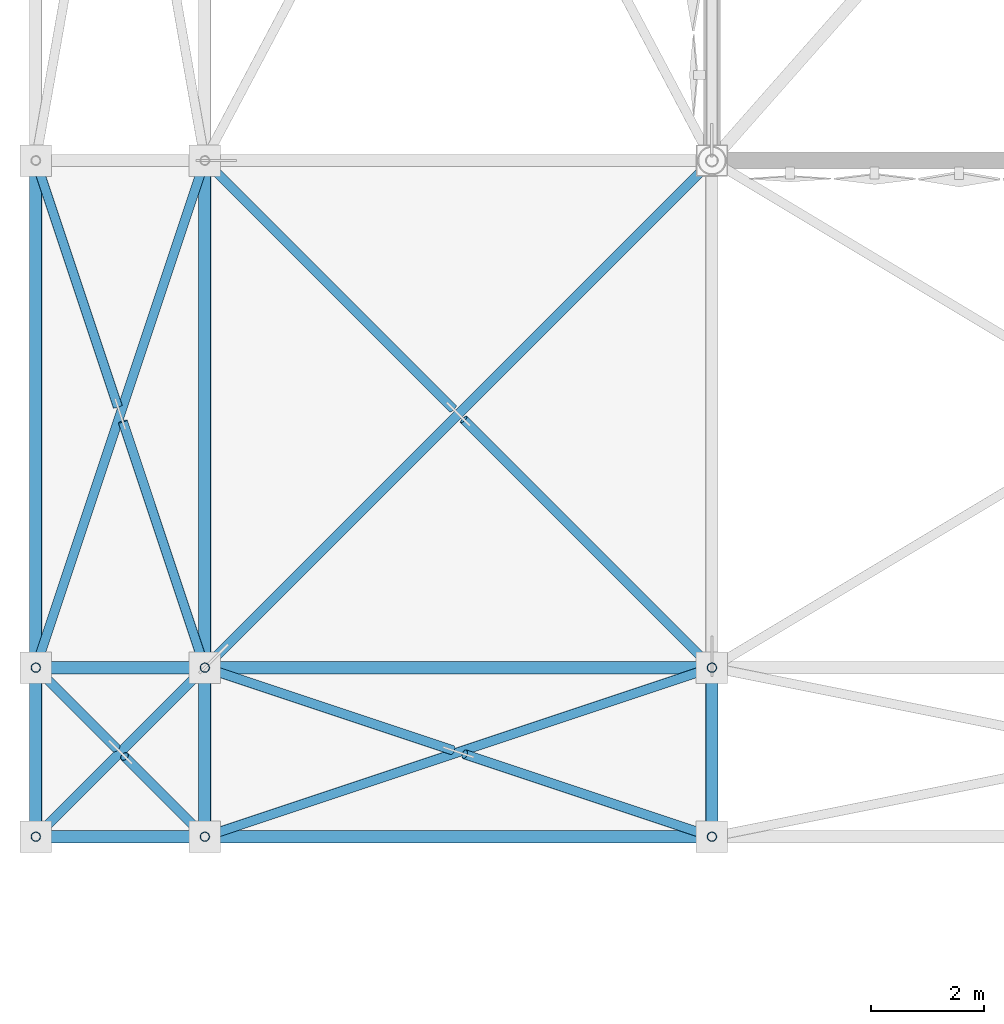
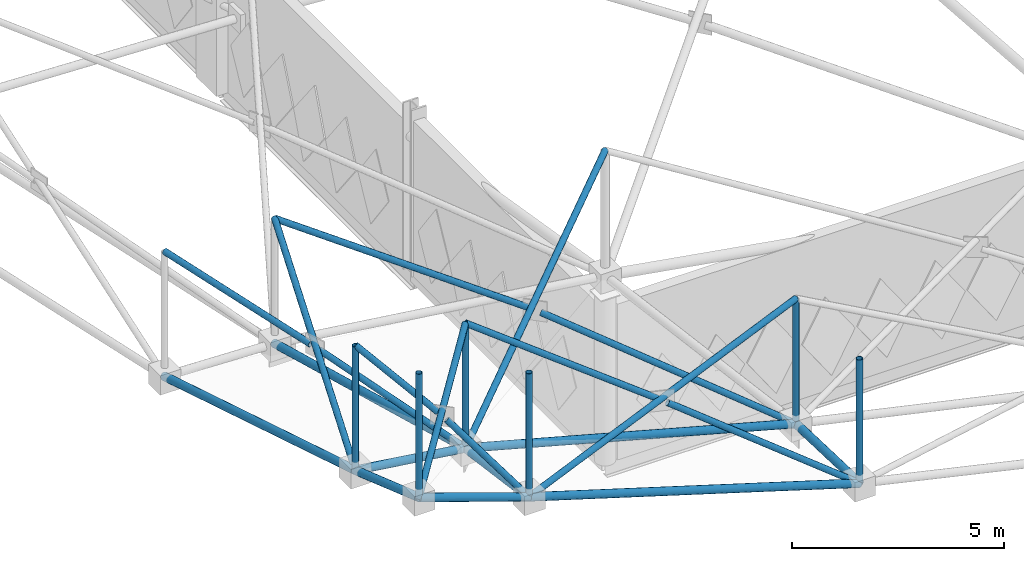
# One storey, part 20 of 224: 27 members.
"""IFC4 building model written with IfcOpenShell, lengths in metres."""

from ifc_helpers import new_model, si_unit, direction, frame, origin, origin_2d, place, context, subcontext, project, spatial, hollow_circle, extrude, material, material_profile, profile_set, type_object, element, save


model = new_model("IFC4")

# Units and contexts
model_context = context("Model", 3, precision=1e-05, world=origin(), true_north=direction((0.0, 1.0)))
body_context = subcontext(model_context, "Body", "Model", "MODEL_VIEW")
ifc_project = project(units=[si_unit("LENGTHUNIT", "METRE"), si_unit("AREAUNIT", "SQUARE_METRE"), si_unit("VOLUMEUNIT", "CUBIC_METRE"), si_unit("PLANEANGLEUNIT", "RADIAN"), si_unit("MASSUNIT", "GRAM", prefix="KILO")], contexts=[model_context])

# Site, building, storey
site_placement = place(None, origin())
site = spatial("IfcSite", under=ifc_project, at=site_placement, CompositionType="ELEMENT")
building_placement = place(site_placement, origin())
building = spatial("IfcBuilding", under=site, at=building_placement, Name="Qamarlyn Nura Convention Centre", CompositionType="ELEMENT")
storey_placement = place(building_placement, frame((0.0, 0.0, 10.800048828125)))
storey = spatial("IfcBuildingStorey", under=building, at=storey_placement, Name="L02", CompositionType="ELEMENT", Elevation=10.800048828125)

# Members
ifc_material = material(Name="Pearl-white PVDF steel ASTM A500 Grade C", Category="steel")
ifc_material_profile_1 = material_profile(ifc_material, hollow_circle(Radius=0.109619140625, WallThickness=0.010009765625, at=origin_2d()), Name="CHS219.1X10")
ifc_profile_set_1 = profile_set([ifc_material_profile_1], Name="Pearl-white PVDF steel ASTM A500 Grade C")
member_type_1 = type_object("IfcMemberType", Name="SF-BC-EAVE", PredefinedType="CHORD", material=ifc_profile_set_1)
member_1_placement = place(storey_placement, frame((-12.0, 6.0, 10.39990234375), z_axis=(0.945141424034, 0.0, -0.326661428049), x_axis=(0.0, 1.0, 0.0)))
element("IfcMember", 1, at=member_1_placement, inside=storey, type_object=member_type_1, Name="ROOF TRUSS space frame bottom chord X0-0", PredefinedType="CHORD", context=body_context, shape_type="SweptSolid", body=[
    extrude(hollow_circle(Radius=0.109619140625, WallThickness=0.010009765625, at=origin_2d()), origin(), (0.0, 0.0, 1.0), 3.174072265625),
])
member_2_placement = place(storey_placement, frame((-9.0, 6.0, 9.363037109375), z_axis=(0.956184693556, 0.0, -0.29276412316), x_axis=(0.0, 1.0, 0.0)))
element("IfcMember", 2, at=member_2_placement, inside=storey, type_object=member_type_1, Name="ROOF TRUSS space frame bottom chord X1-0", PredefinedType="CHORD", context=body_context, shape_type="SweptSolid", body=[
    extrude(hollow_circle(Radius=0.109619140625, WallThickness=0.010009765625, at=origin_2d()), origin(), (0.0, 0.0, 1.0), 9.412353515625),
])
member_3_placement = place(storey_placement, frame((-12.0, 9.0, 9.363037109375), z_axis=(0.990685366619, 0.0, -0.136170864601), x_axis=(0.0, 1.0, 0.0)))
element("IfcMember", 3, at=member_3_placement, inside=storey, type_object=member_type_1, Name="ROOF TRUSS space frame bottom chord X0-1", PredefinedType="CHORD", context=body_context, shape_type="SweptSolid", body=[
    extrude(hollow_circle(Radius=0.109619140625, WallThickness=0.010009765625, at=origin_2d()), origin(), (0.0, 0.0, 1.0), 3.0283203125),
])
member_4_placement = place(storey_placement, frame((-9.0, 9.0, 8.95068359375), z_axis=(0.965021310393, 0.0, -0.262171452463), x_axis=(0.0, 1.0, 0.0)))
element("IfcMember", 4, at=member_4_placement, inside=storey, type_object=member_type_1, Name="ROOF TRUSS space frame bottom chord X1-1", PredefinedType="CHORD", context=body_context, shape_type="SweptSolid", body=[
    extrude(hollow_circle(Radius=0.109619140625, WallThickness=0.010009765625, at=origin_2d()), origin(), (0.0, 0.0, 1.0), 9.326171875),
])
member_5_placement = place(storey_placement, frame((-12.0, 6.0, 10.39990234375), z_axis=(0.0, 0.945141424034, -0.326661428049), x_axis=(-1.0, 0.0, 0.0)))
element("IfcMember", 5, at=member_5_placement, inside=storey, type_object=member_type_1, Name="ROOF TRUSS space frame bottom chord Y0-0", PredefinedType="CHORD", context=body_context, shape_type="SweptSolid", body=[
    extrude(hollow_circle(Radius=0.109619140625, WallThickness=0.010009765625, at=origin_2d()), origin(), (0.0, 0.0, 1.0), 3.174072265625),
])
member_6_placement = place(storey_placement, frame((-12.0, 9.0, 9.363037109375), z_axis=(0.0, 0.956184693556, -0.29276412316), x_axis=(-1.0, 0.0, 0.0)))
element("IfcMember", 6, at=member_6_placement, inside=storey, type_object=member_type_1, Name="ROOF TRUSS space frame bottom chord Y0-1", PredefinedType="CHORD", context=body_context, shape_type="SweptSolid", body=[
    extrude(hollow_circle(Radius=0.109619140625, WallThickness=0.010009765625, at=origin_2d()), origin(), (0.0, 0.0, 1.0), 9.412353515625),
])
member_7_placement = place(storey_placement, frame((-9.0, 6.0, 9.363037109375), z_axis=(0.0, 0.990685366619, -0.136170864601), x_axis=(-1.0, 0.0, 0.0)))
element("IfcMember", 7, at=member_7_placement, inside=storey, type_object=member_type_1, Name="ROOF TRUSS space frame bottom chord Y1-0", PredefinedType="CHORD", context=body_context, shape_type="SweptSolid", body=[
    extrude(hollow_circle(Radius=0.109619140625, WallThickness=0.010009765625, at=origin_2d()), origin(), (0.0, 0.0, 1.0), 3.0283203125),
])
member_8_placement = place(storey_placement, frame((-9.0, 9.0, 8.95068359375), z_axis=(0.0, 0.965021310393, -0.262171452463), x_axis=(-1.0, 0.0, 0.0)))
element("IfcMember", 8, at=member_8_placement, inside=storey, type_object=member_type_1, Name="ROOF TRUSS space frame bottom chord Y1-1", PredefinedType="CHORD", context=body_context, shape_type="SweptSolid", body=[
    extrude(hollow_circle(Radius=0.109619140625, WallThickness=0.010009765625, at=origin_2d()), origin(), (0.0, 0.0, 1.0), 9.326171875),
])
member_9_placement = place(storey_placement, frame((0.0, 6.0, 6.607421875), z_axis=(0.0, 0.999424686189, -0.033916023286), x_axis=(-1.0, 0.0, 0.0)))
element("IfcMember", 9, at=member_9_placement, inside=storey, type_object=member_type_1, Name="ROOF TRUSS space frame bottom chord Y2-0", PredefinedType="CHORD", context=body_context, shape_type="SweptSolid", body=[
    extrude(hollow_circle(Radius=0.109619140625, WallThickness=0.010009765625, at=origin_2d()), origin(), (0.0, 0.0, 1.0), 3.001708984375),
])
ifc_material_profile_2 = material_profile(ifc_material, hollow_circle(Radius=0.084228515625, WallThickness=0.008056640625, at=origin_2d()), Name="CHS168.3X8")
ifc_profile_set_2 = profile_set([ifc_material_profile_2], Name="Pearl-white PVDF steel ASTM A500 Grade C")
member_type_2 = type_object("IfcMemberType", Name="SF-WEB-STD", PredefinedType="BRACE", material=ifc_profile_set_2)
member_10_placement = place(storey_placement, frame((-12.0, 6.0, 10.39990234375), z_axis=(0.0, 0.0, 1.0), x_axis=(1.0, 0.0, 0.0)))
element("IfcMember", 10, at=member_10_placement, inside=storey, type_object=member_type_2, Name="ROOF TRUSS space frame vertical 0-0", PredefinedType="BRACE", context=body_context, shape_type="SweptSolid", body=[
    extrude(hollow_circle(Radius=0.084228515625, WallThickness=0.008056640625, at=origin_2d()), origin(), (0.0, 0.0, 1.0), 3.60009765625),
])
member_11_placement = place(storey_placement, frame((-12.0, 6.0, 10.39990234375), z_axis=(0.630688156298, 0.630688156298, 0.452177950601), x_axis=(-0.707106781187, 0.707106781187, 0.0)))
element("IfcMember", 11, at=member_11_placement, inside=storey, type_object=member_type_2, Name="ROOF TRUSS space frame diagonal A 0-0", PredefinedType="BRACE", context=body_context, shape_type="SweptSolid", body=[
    extrude(hollow_circle(Radius=0.084228515625, WallThickness=0.008056640625, at=origin_2d()), origin(), (0.0, 0.0, 1.0), 4.756591796875),
])
member_12_placement = place(storey_placement, frame((-9.0, 6.0, 9.363037109375), z_axis=(-0.518837168434, 0.518837168434, 0.679423274037), x_axis=(-0.707106781187, -0.707106781187, 0.0)))
element("IfcMember", 12, at=member_12_placement, inside=storey, type_object=member_type_2, Name="ROOF TRUSS space frame split diagonal B1 0-0", PredefinedType="BRACE", context=body_context, shape_type="SweptSolid", body=[
    extrude(hollow_circle(Radius=0.084228515625, WallThickness=0.008056640625, at=origin_2d()), origin(), (0.0, 0.0, 1.0), 2.74560546875),
])
member_13_placement = place(storey_placement, frame((-10.575439453125, 7.575439453125, 11.40966796875), z_axis=(-0.559998615776, 0.559998615776, 0.610576040029), x_axis=(-0.707106781187, -0.707106781187, 0.0)))
element("IfcMember", 13, at=member_13_placement, inside=storey, type_object=member_type_2, Name="ROOF TRUSS space frame split diagonal B2 0-0", PredefinedType="BRACE", context=body_context, shape_type="SweptSolid", body=[
    extrude(hollow_circle(Radius=0.084228515625, WallThickness=0.008056640625, at=origin_2d()), origin(), (0.0, 0.0, 1.0), 2.5439453125),
])
member_14_placement = place(storey_placement, frame((-12.0, 9.0, 9.363037109375), z_axis=(0.0, 0.0, 1.0), x_axis=(1.0, 0.0, 0.0)))
element("IfcMember", 14, at=member_14_placement, inside=storey, type_object=member_type_2, Name="ROOF TRUSS space frame vertical 0-1", PredefinedType="BRACE", context=body_context, shape_type="SweptSolid", body=[
    extrude(hollow_circle(Radius=0.084228515625, WallThickness=0.008056640625, at=origin_2d()), origin(), (0.0, 0.0, 1.0), 3.599853515625),
])
member_15_placement = place(storey_placement, frame((-12.0, 9.0, 9.363037109375), z_axis=(0.31526319232, 0.945789576959, 0.078046112552), x_axis=(-0.948683298051, 0.316227766017, 0.0)))
element("IfcMember", 15, at=member_15_placement, inside=storey, type_object=member_type_2, Name="ROOF TRUSS space frame diagonal A 0-1", PredefinedType="BRACE", context=body_context, shape_type="SweptSolid", body=[
    extrude(hollow_circle(Radius=0.084228515625, WallThickness=0.008056640625, at=origin_2d()), origin(), (0.0, 0.0, 1.0), 9.515869140625),
])
member_16_placement = place(storey_placement, frame((-9.0, 9.0, 8.95068359375), z_axis=(-0.312745236055, 0.938288147004, 0.147667770746), x_axis=(-0.948688599927, -0.316211859943, 0.0)))
element("IfcMember", 16, at=member_16_placement, inside=storey, type_object=member_type_2, Name="ROOF TRUSS space frame split diagonal B1 0-1", PredefinedType="BRACE", context=body_context, shape_type="SweptSolid", body=[
    extrude(hollow_circle(Radius=0.084228515625, WallThickness=0.008056640625, at=origin_2d()), origin(), (0.0, 0.0, 1.0), 4.65576171875),
])
member_17_placement = place(storey_placement, frame((-10.5439453125, 13.631591796875, 9.675048828125), z_axis=(-0.314120556269, 0.942414338249, 0.114819385088), x_axis=(-0.948688599927, -0.316211859943, 0.0)))
element("IfcMember", 17, at=member_17_placement, inside=storey, type_object=member_type_2, Name="ROOF TRUSS space frame split diagonal B2 0-1", PredefinedType="BRACE", context=body_context, shape_type="SweptSolid", body=[
    extrude(hollow_circle(Radius=0.084228515625, WallThickness=0.008056640625, at=origin_2d()), origin(), (0.0, 0.0, 1.0), 4.63525390625),
])
member_18_placement = place(storey_placement, frame((-9.0, 6.0, 9.363037109375), z_axis=(0.0, 0.0, 1.0), x_axis=(1.0, 0.0, 0.0)))
element("IfcMember", 18, at=member_18_placement, inside=storey, type_object=member_type_2, Name="ROOF TRUSS space frame vertical 1-0", PredefinedType="BRACE", context=body_context, shape_type="SweptSolid", body=[
    extrude(hollow_circle(Radius=0.084228515625, WallThickness=0.008056640625, at=origin_2d()), origin(), (0.0, 0.0, 1.0), 3.599853515625),
])
member_19_placement = place(storey_placement, frame((-9.0, 6.0, 9.363037109375), z_axis=(0.945789576959, 0.31526319232, 0.078046112552), x_axis=(-0.316227766017, 0.948683298051, 0.0)))
element("IfcMember", 19, at=member_19_placement, inside=storey, type_object=member_type_2, Name="ROOF TRUSS space frame diagonal A 1-0", PredefinedType="BRACE", context=body_context, shape_type="SweptSolid", body=[
    extrude(hollow_circle(Radius=0.084228515625, WallThickness=0.008056640625, at=origin_2d()), origin(), (0.0, 0.0, 1.0), 9.515869140625),
])
member_20_placement = place(storey_placement, frame((0.0, 6.0, 6.607421875), z_axis=(-0.797875323513, 0.265943641859, 0.540988860776), x_axis=(-0.316211928981, -0.948688576915, 0.0)))
element("IfcMember", 20, at=member_20_placement, inside=storey, type_object=member_type_2, Name="ROOF TRUSS space frame split diagonal B1 1-0", PredefinedType="BRACE", context=body_context, shape_type="SweptSolid", body=[
    extrude(hollow_circle(Radius=0.084228515625, WallThickness=0.008056640625, at=origin_2d()), origin(), (0.0, 0.0, 1.0), 5.4990234375),
])
member_21_placement = place(storey_placement, frame((-4.612548828125, 7.53759765625, 9.73095703125), z_axis=(-0.809998173826, 0.269984367104, 0.520587552596), x_axis=(-0.316211928981, -0.948688576915, 0.0)))
element("IfcMember", 21, at=member_21_placement, inside=storey, type_object=member_type_2, Name="ROOF TRUSS space frame split diagonal B2 1-0", PredefinedType="BRACE", context=body_context, shape_type="SweptSolid", body=[
    extrude(hollow_circle(Radius=0.084228515625, WallThickness=0.008056640625, at=origin_2d()), origin(), (0.0, 0.0, 1.0), 5.41650390625),
])
member_22_placement = place(storey_placement, frame((-9.0, 9.0, 8.95068359375), z_axis=(0.0, 0.0, 1.0), x_axis=(1.0, 0.0, 0.0)))
element("IfcMember", 22, at=member_22_placement, inside=storey, type_object=member_type_2, Name="ROOF TRUSS space frame vertical 1-1", PredefinedType="BRACE", context=body_context, shape_type="SweptSolid", body=[
    extrude(hollow_circle(Radius=0.084228515625, WallThickness=0.008056640625, at=origin_2d()), origin(), (0.0, 0.0, 1.0), 3.60009765625),
])
member_23_placement = place(storey_placement, frame((-9.0, 9.0, 8.95068359375), z_axis=(0.70710385434, 0.70710385434, -0.002877212949), x_axis=(-0.707106781187, 0.707106781187, 0.0)))
element("IfcMember", 23, at=member_23_placement, inside=storey, type_object=member_type_2, Name="ROOF TRUSS space frame diagonal A 1-1", PredefinedType="BRACE", context=body_context, shape_type="SweptSolid", body=[
    extrude(hollow_circle(Radius=0.084228515625, WallThickness=0.008056640625, at=origin_2d()), origin(), (0.0, 0.0, 1.0), 12.72802734375),
])
member_24_placement = place(storey_placement, frame((0.0, 9.0, 6.505615234375), z_axis=(-0.670852570862, 0.670852570862, 0.316091215214), x_axis=(-0.707106781187, -0.707106781187, 0.0)))
element("IfcMember", 24, at=member_24_placement, inside=storey, type_object=member_type_2, Name="ROOF TRUSS space frame split diagonal B1 1-1", PredefinedType="BRACE", context=body_context, shape_type="SweptSolid", body=[
    extrude(hollow_circle(Radius=0.084228515625, WallThickness=0.008056640625, at=origin_2d()), origin(), (0.0, 0.0, 1.0), 6.56591796875),
])
member_25_placement = place(storey_placement, frame((-4.59521484375, 13.59521484375, 8.6572265625), z_axis=(-0.68873230786, 0.68873230786, 0.226485355422), x_axis=(-0.707106781187, -0.707106781187, 0.0)))
element("IfcMember", 25, at=member_25_placement, inside=storey, type_object=member_type_2, Name="ROOF TRUSS space frame split diagonal B2 1-1", PredefinedType="BRACE", context=body_context, shape_type="SweptSolid", body=[
    extrude(hollow_circle(Radius=0.084228515625, WallThickness=0.008056640625, at=origin_2d()), origin(), (0.0, 0.0, 1.0), 6.3955078125),
])
member_26_placement = place(storey_placement, frame((0.0, 6.0, 6.607421875), z_axis=(0.0, 0.0, 1.0), x_axis=(1.0, 0.0, 0.0)))
element("IfcMember", 26, at=member_26_placement, inside=storey, type_object=member_type_2, Name="ROOF TRUSS space frame vertical 2-0", PredefinedType="BRACE", context=body_context, shape_type="SweptSolid", body=[
    extrude(hollow_circle(Radius=0.084228515625, WallThickness=0.008056640625, at=origin_2d()), origin(), (0.0, 0.0, 1.0), 3.599853515625),
])
member_27_placement = place(storey_placement, frame((0.0, 9.0, 6.505615234375), z_axis=(0.0, 0.0, 1.0), x_axis=(1.0, 0.0, 0.0)))
element("IfcMember", 27, at=member_27_placement, inside=storey, type_object=member_type_2, Name="ROOF TRUSS space frame vertical 2-1", PredefinedType="BRACE", context=body_context, shape_type="SweptSolid", body=[
    extrude(hollow_circle(Radius=0.084228515625, WallThickness=0.008056640625, at=origin_2d()), origin(), (0.0, 0.0, 1.0), 3.60009765625),
])

save(model, "model.ifc")
